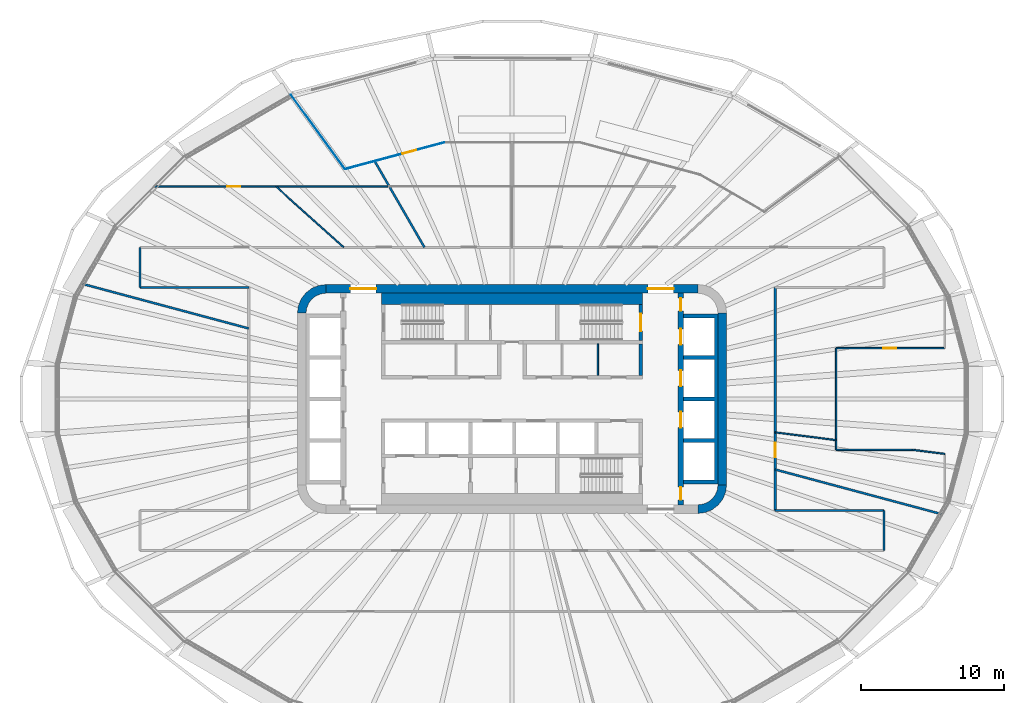
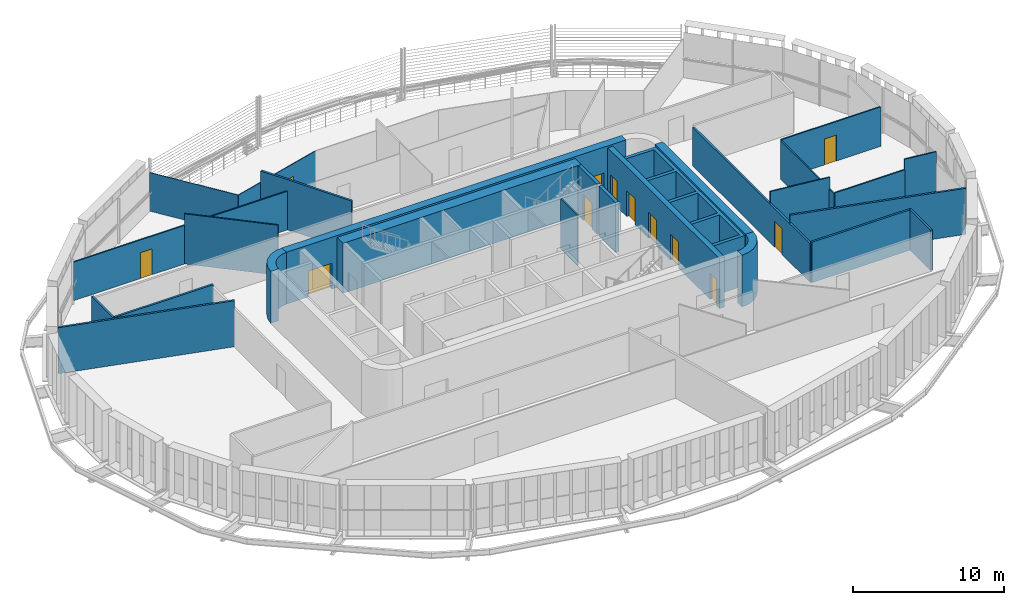
# One storey, part 15 of 24: 27 walls, 12 doors, 12 openings.
"""IFC4 building model written with IfcOpenShell, lengths in metres."""

import ifcopenshell
import ifcopenshell.guid

model = None  # the IFC model being written
_history = None  # IfcOwnerHistory: only IFC2X3 demands one
_inside = {}  # id of a spatial element -> (the spatial element, [elements in it])
_under = {}  # id of a project, library or spatial element -> (it, [spatial elements below it])
_declared = {}  # id of a project -> (the project, [libraries it declares])
_typed = {}  # id of a type object -> (the type object, [elements of that type])
_made_of = {}  # id of a material, layer set ... -> (it, [elements and type objects made of it])


def new_model(schema):
    """Start an empty IFC model of exactly this schema.

    Asked for "IFC4X3", IfcOpenShell would pick the latest addendum, in which some entities
    have other attributes; the version numbers below select the first issue.
    IFC2X3 requires an IfcOwnerHistory on every rooted entity: one is made here for all.
    """
    global model, _history
    if schema == "IFC4X3":
        model = ifcopenshell.file(schema_version=(4, 3, 0, 0))
    else:
        model = ifcopenshell.file(schema=schema)
    _inside.clear()
    _under.clear()
    _declared.clear()
    _typed.clear()
    _made_of.clear()
    _history = None
    if model.schema == "IFC2X3":
        org = make("IfcOrganization", Name="unknown")
        user = make(
            "IfcPersonAndOrganization",
            ThePerson=make("IfcPerson", FamilyName="unknown"),
            TheOrganization=org,
        )
        app = make(
            "IfcApplication",
            ApplicationDeveloper=org,
            Version="unknown",
            ApplicationFullName="unknown",
            ApplicationIdentifier="unknown",
        )
        _history = make(
            "IfcOwnerHistory",
            OwningUser=user,
            OwningApplication=app,
            ChangeAction="ADDED",
            CreationDate=0,
        )
    return model


def make(cls, **values):
    """One entity of the class cls with the attributes given. An attribute that is None is left unset."""
    return model.create_entity(
        cls, **{name: value for name, value in values.items() if value is not None}
    )


def rooted(cls, **values):
    """An entity with a GlobalId (a new one), such as an element, a storey or a relation."""
    return make(cls, GlobalId=ifcopenshell.guid.new(), OwnerHistory=_history, **values)


def si_unit(unit_type, name, prefix=None):
    """IfcSIUnit, for example si_unit("LENGTHUNIT", "METRE", prefix="MILLI")."""
    return make("IfcSIUnit", UnitType=unit_type, Prefix=prefix, Name=name)


def assignment(units):
    """IfcUnitAssignment: the units of a project."""
    return None if units is None else make("IfcUnitAssignment", Units=units)


def point(xyz):
    """IfcCartesianPoint."""
    return None if xyz is None else make("IfcCartesianPoint", Coordinates=xyz)


def direction(xyz):
    """IfcDirection."""
    return None if xyz is None else make("IfcDirection", DirectionRatios=xyz)


def frame(location, z_axis=None, x_axis=None):
    """IfcAxis2Placement3D, a coordinate frame: its origin and axes. An axis left out is left unset."""
    return make(
        "IfcAxis2Placement3D",
        Location=point(location),
        Axis=direction(z_axis),
        RefDirection=direction(x_axis),
    )


def frame_2d(location, x_axis=None):
    """IfcAxis2Placement2D, a coordinate frame in the plane: its origin and x axis."""
    return make(
        "IfcAxis2Placement2D", Location=point(location), RefDirection=direction(x_axis)
    )


def origin():
    """The frame at (0, 0, 0) with its axes left unset."""
    return frame((0.0, 0.0, 0.0))


def place(relative_to, where):
    """IfcLocalPlacement: puts the frame where relative to a parent placement (None: the world)."""
    return make(
        "IfcLocalPlacement", PlacementRelTo=relative_to, RelativePlacement=where
    )


def context(
    kind, dimensions, precision=None, world=None, true_north=None, identifier=None
):
    """IfcGeometricRepresentationContext, for example the 3D "Model" context."""
    return make(
        "IfcGeometricRepresentationContext",
        ContextIdentifier=identifier,
        ContextType=kind,
        CoordinateSpaceDimension=dimensions,
        Precision=precision,
        WorldCoordinateSystem=world,
        TrueNorth=true_north,
    )


def subcontext(parent, identifier, kind, view, scale=None):
    """IfcGeometricRepresentationSubContext, for example "Body" below "Model"."""
    return make(
        "IfcGeometricRepresentationSubContext",
        ContextIdentifier=identifier,
        ContextType=kind,
        ParentContext=parent,
        TargetScale=scale,
        TargetView=view,
    )


def project(units=None, contexts=None):
    """IfcProject with its units and contexts."""
    return rooted(
        "IfcProject",
        Name="project",
        RepresentationContexts=contexts,
        UnitsInContext=assignment(units),
    )


def spatial(cls, under=None, at=None, **own):
    """A site, building, storey or space (cls), placed at a placement, below another one or the project."""
    s = rooted(cls, ObjectPlacement=at, **own)
    if under is not None:
        _under.setdefault(under.id(), (under, []))[1].append(s)
    return s


def polyline(points):
    """IfcPolyline through the points."""
    return make("IfcPolyline", Points=[point(p) for p in points])


def profile(cls, at=None, kind="AREA", **sizes):
    """A parametric profile (cls). Its sizes go by their IFC names, for example OverallWidth=200.0."""
    return make(cls, ProfileType=kind, Position=at, **sizes)


def rectangle(**sizes):
    """IfcRectangleProfileDef."""
    return profile("IfcRectangleProfileDef", **sizes)


def outline(outer, holes=None, kind="AREA"):
    """IfcArbitraryClosedProfileDef: a profile drawn as a closed curve; with holes, ...WithVoids."""
    if holes is None:
        return make("IfcArbitraryClosedProfileDef", ProfileType=kind, OuterCurve=outer)
    return make(
        "IfcArbitraryProfileDefWithVoids",
        ProfileType=kind,
        OuterCurve=outer,
        InnerCurves=holes,
    )


def extrude(swept, where, along, depth):
    """IfcExtrudedAreaSolid: the profile swept, set in the frame where, extruded along a direction by depth."""
    return make(
        "IfcExtrudedAreaSolid",
        SweptArea=swept,
        Position=where,
        ExtrudedDirection=direction(along),
        Depth=depth,
    )


def shape(context_of_items, identifier, shape_type, items):
    """IfcShapeRepresentation: the items that make up one representation, for example the "Body"."""
    return make(
        "IfcShapeRepresentation",
        ContextOfItems=context_of_items,
        RepresentationIdentifier=identifier,
        RepresentationType=shape_type,
        Items=items,
    )


def material(Name=None, Category=None):
    """IfcMaterial."""
    return make("IfcMaterial", Name=Name, Category=Category)


def layer(
    of_material, thickness, ventilated=None, Name=None, Category=None, Priority=None
):
    """IfcMaterialLayer: one layer of a wall or slab, of a material (None: an air gap)."""
    return make(
        "IfcMaterialLayer",
        Material=of_material,
        LayerThickness=thickness,
        IsVentilated=ventilated,
        Name=Name,
        Category=Category,
        Priority=Priority,
    )


def layer_set(layers, Name=None):
    """IfcMaterialLayerSet."""
    return make("IfcMaterialLayerSet", MaterialLayers=layers, LayerSetName=Name)


def made_of(thing, what):
    """Note that an element or type object is made of a material, layer set ...; save() writes the relation."""
    if what is not None:
        _made_of.setdefault(what.id(), (what, []))[1].append(thing)
    return thing


def type_object(cls, material=None, **own):
    """A type object (cls), such as IfcWallType, which elements share."""
    return made_of(rooted(cls, **own), material)


def element(
    cls,
    number,
    at=None,
    inside=None,
    cuts=None,
    type_object=None,
    material=None,
    context=None,
    identifier="Body",
    shape_type=None,
    held_by="IfcProductDefinitionShape",
    body=None,
    shapes=None,
    **own,
):
    """One element of the class cls, such as IfcWall. Its Tag is "e" and its number.

    at: its placement. inside: the storey or other place that contains it. cuts: it is an
    opening in that element (IfcRelVoidsElement). A single representation is given by context,
    identifier, shape_type and body (its items); several are given by shapes. held_by: the class
    of the entity that holds the representations. save() writes the other relations.
    """
    e = rooted(cls, Tag="e%d" % number, ObjectPlacement=at, **own)
    if body is not None:
        shapes = [shape(context, identifier, shape_type, body)]
    if shapes is not None:
        e.Representation = make(held_by, Representations=shapes)
    if inside is not None:
        _inside.setdefault(inside.id(), (inside, []))[1].append(e)
    if cuts is not None:
        rooted(
            "IfcRelVoidsElement", RelatingBuildingElement=cuts, RelatedOpeningElement=e
        )
    if type_object is not None:
        _typed.setdefault(type_object.id(), (type_object, []))[1].append(e)
    return made_of(e, material)


def fill(opening, filler):
    """IfcRelFillsElement: the door or window that sits in an opening."""
    return rooted(
        "IfcRelFillsElement",
        RelatingOpeningElement=opening,
        RelatedBuildingElement=filler,
    )


def aggregate(whole, parts):
    """IfcRelAggregates: a whole, such as a stair, and the parts it consists of."""
    return rooted("IfcRelAggregates", RelatingObject=whole, RelatedObjects=parts)


def save(model, path):
    """Write the relations noted so far, then the file.

    IfcRelAggregates (storeys below a building ...), IfcRelContainedInSpatialStructure (elements
    in a storey), IfcRelDefinesByType, IfcRelAssociatesMaterial and IfcRelDeclares: one each for
    every whole, place, type object, material and project.
    """
    for whole, parts in _under.values():
        aggregate(whole, parts)
    for where, things in _inside.values():
        rooted(
            "IfcRelContainedInSpatialStructure",
            RelatedElements=things,
            RelatingStructure=where,
        )
    for kind, things in _typed.values():
        rooted("IfcRelDefinesByType", RelatedObjects=things, RelatingType=kind)
    for what, things in _made_of.values():
        rooted("IfcRelAssociatesMaterial", RelatedObjects=things, RelatingMaterial=what)
    for by, libraries in _declared.values():
        rooted("IfcRelDeclares", RelatingContext=by, RelatedDefinitions=libraries)
    model.write(path)


model = new_model("IFC4")

# Units and contexts
model_context = context("Model", 3, precision=1e-05, world=origin(), true_north=direction((0.0, 1.0)))
body_context = subcontext(model_context, "Body", "Model", "MODEL_VIEW")
ifc_project = project(units=[si_unit("LENGTHUNIT", "METRE"), si_unit("AREAUNIT", "SQUARE_METRE"), si_unit("VOLUMEUNIT", "CUBIC_METRE"), si_unit("PLANEANGLEUNIT", "RADIAN"), si_unit("MASSUNIT", "GRAM", prefix="KILO")], contexts=[model_context])

# Site, building, storey
site_placement = place(None, origin())
site = spatial("IfcSite", under=ifc_project, at=site_placement, CompositionType="ELEMENT")
building_placement = place(site_placement, origin())
building = spatial("IfcBuilding", under=site, at=building_placement, Name="Sahrelin Media Tower", CompositionType="ELEMENT")
storey_placement = place(building_placement, frame((0.0, 0.0, 118.800048828125)))
storey = spatial("IfcBuildingStorey", under=building, at=storey_placement, Name="L23", CompositionType="ELEMENT", Elevation=118.800048828125)

# Wall, openings, doors
ifc_material_1 = material(Name="Concrete C60/75", Category="concrete")
ifc_layer_1 = layer(ifc_material_1, 0.60009765625)
ifc_layer_set_1 = layer_set([ifc_layer_1], Name="Core wall 600")
wall_type_1 = type_object("IfcWallType", Name="Core wall 600", PredefinedType="SHEAR", material=ifc_layer_set_1)
wall_1_placement = place(storey_placement, frame((-13.0, 7.699951171875, 0.0), z_axis=(0.0, 0.0, 1.0), x_axis=(1.0, 0.0, 0.0)))
wall_1 = element("IfcWall", 1, at=wall_1_placement, inside=storey, type_object=wall_type_1, Name="Core wall N L23", PredefinedType="SHEAR", context=body_context, shape_type="SweptSolid", body=[
    extrude(rectangle(XDim=26.0, YDim=0.60009765625, at=frame_2d((13.0, 0.0))), origin(), (0.0, 0.0, 1.0), 4.199951171875),
])
opening_1_placement = place(wall_1_placement, frame((1.699951171875, 0.0, 0.0)))
opening_1 = element("IfcOpeningElement", 2, at=opening_1_placement, cuts=wall_1, Name="Opening L23-D19", PredefinedType="OPENING", context=body_context, shape_type="SweptSolid", body=[
    extrude(rectangle(XDim=1.800048828125, YDim=2.10009765625, at=frame_2d((0.89990234375, 1.050048828125))), frame((0.0, 0.300048828125, 0.0), z_axis=(0.0, -1.0, 0.0), x_axis=(1.0, 0.0, 0.0)), (0.0, 0.0, 1.0), 0.60009765625),
])
opening_2_placement = place(wall_1_placement, frame((22.5, 0.0, 0.0)))
opening_2 = element("IfcOpeningElement", 3, at=opening_2_placement, cuts=wall_1, Name="Opening L23-D20", PredefinedType="OPENING", context=body_context, shape_type="SweptSolid", body=[
    extrude(rectangle(XDim=1.800048828125, YDim=2.10009765625, at=frame_2d((0.89990234375, 1.050048828125))), frame((0.0, 0.300048828125, 0.0), z_axis=(0.0, -1.0, 0.0), x_axis=(1.0, 0.0, 0.0)), (0.0, 0.0, 1.0), 0.60009765625),
])
ifc_material_2 = material(Name="Steel fire door leaf", Category="steel")
door_type_1 = type_object("IfcDoorType", Name="Lobby double door 1800 x 2100 EI 60", OperationType="DOUBLE_DOOR_SINGLE_SWING", PredefinedType="DOOR", material=ifc_material_2)
door_1_placement = place(opening_1_placement, origin())
door_1 = element("IfcDoor", 4, at=door_1_placement, inside=storey, type_object=door_type_1, Name="Lobby door", OperationType="DOUBLE_DOOR_SINGLE_SWING", OverallHeight=2.10009765625, OverallWidth=1.800048828125, PredefinedType="DOOR", context=body_context, shape_type="SweptSolid", body=[
    extrude(rectangle(XDim=1.800048828125, YDim=2.10009765625, at=frame_2d((0.89990234375, 1.050048828125))), frame((0.0, 0.02490234375, 0.0), z_axis=(0.0, -1.0, 0.0), x_axis=(1.0, 0.0, 0.0)), (0.0, 0.0, 1.0), 0.050048828125),
])
fill(opening_1, door_1)
door_2_placement = place(opening_2_placement, origin())
door_2 = element("IfcDoor", 5, at=door_2_placement, inside=storey, type_object=door_type_1, Name="Lobby door", OperationType="DOUBLE_DOOR_SINGLE_SWING", OverallHeight=2.10009765625, OverallWidth=1.800048828125, PredefinedType="DOOR", context=body_context, shape_type="SweptSolid", body=[
    extrude(rectangle(XDim=1.800048828125, YDim=2.10009765625, at=frame_2d((0.89990234375, 1.050048828125))), frame((0.0, 0.02490234375, 0.0), z_axis=(0.0, -1.0, 0.0), x_axis=(1.0, 0.0, 0.0)), (0.0, 0.0, 1.0), 0.050048828125),
])
fill(opening_2, door_2)

# Walls
wall_2_placement = place(storey_placement, frame((14.699951171875, -6.0, 0.0), z_axis=(0.0, 0.0, 1.0), x_axis=(0.0, 1.0, 0.0)))
element("IfcWall", 6, at=wall_2_placement, inside=storey, type_object=wall_type_1, Name="Core wall E L23", PredefinedType="SHEAR", context=body_context, shape_type="SweptSolid", body=[
    extrude(rectangle(XDim=12.0, YDim=0.60009765625, at=frame_2d((6.0, 0.0))), origin(), (0.0, 0.0, 1.0), 4.199951171875),
])
placement = place(storey_placement, origin())
element("IfcWall", 7, at=placement, inside=storey, type_object=wall_type_1, Name="Core wall corner NW L23", PredefinedType="SHEAR", context=body_context, shape_type="SweptSolid", body=[
    extrude(outline(polyline([(-15.0, 6.0), (-14.394775390625, 6.0), (-14.347412109375, 6.361083984375), (-14.2080078125, 6.697509765625), (-13.986328125, 6.986328125), (-13.697509765625, 7.2080078125), (-13.361083984375, 7.347412109375), (-13.0, 7.394775390625), (-13.0, 8.0), (-13.517578125, 7.931884765625), (-14.0, 7.732177734375), (-14.414306640625, 7.414306640625), (-14.732177734375, 7.0), (-14.931884765625, 6.517578125), (-15.0, 6.0)])), origin(), (0.0, 0.0, 1.0), 4.199951171875),
])
element("IfcWall", 8, at=placement, inside=storey, type_object=wall_type_1, Name="Core wall corner SE L23", PredefinedType="SHEAR", context=body_context, shape_type="SweptSolid", body=[
    extrude(outline(polyline([(15.0, -6.0), (14.394775390625, -6.0), (14.347412109375, -6.361083984375), (14.2080078125, -6.697509765625), (13.986328125, -6.986328125), (13.697509765625, -7.2080078125), (13.361083984375, -7.347412109375), (13.0, -7.394775390625), (13.0, -8.0), (13.517578125, -7.931884765625), (14.0, -7.732177734375), (14.414306640625, -7.414306640625), (14.732177734375, -7.0), (14.931884765625, -6.517578125), (15.0, -6.0)])), origin(), (0.0, 0.0, 1.0), 4.199951171875),
])
ifc_material_3 = material(Name="Fire-rated gypsum board partition")
ifc_layer_2 = layer(ifc_material_3, 0.25)
ifc_layer_set_2 = layer_set([ifc_layer_2], Name="Fire-rated lobby wall 250")
wall_type_2 = type_object("IfcWallType", Name="Fire-rated lobby wall 250", PredefinedType="PARTITIONING", material=ifc_layer_set_2)
wall_5_placement = place(storey_placement, frame((9.0, 1.64990234375, 0.0), z_axis=(0.0, 0.0, 1.0), x_axis=(0.0, 1.0, 0.0)))
element("IfcWall", 9, at=wall_5_placement, inside=storey, type_object=wall_type_2, Name="Core lobby wall", PredefinedType="PARTITIONING", context=body_context, shape_type="SweptSolid", body=[
    extrude(rectangle(XDim=2.2001953125, YDim=0.25, at=frame_2d((1.10009765625, 0.0))), origin(), (0.0, 0.0, 1.0), 4.050048828125),
])
ifc_layer_3 = layer(ifc_material_3, 0.10009765625)
ifc_layer_set_3 = layer_set([ifc_layer_3], Name="Fire-rated partition 100")
wall_type_3 = type_object("IfcWallType", Name="Fire-rated partition 100", PredefinedType="PARTITIONING", material=ifc_layer_set_3)
wall_6_placement = place(storey_placement, frame((6.0, 1.64990234375, 0.0), z_axis=(0.0, 0.0, 1.0), x_axis=(0.0, 1.0, 0.0)))
element("IfcWall", 10, at=wall_6_placement, inside=storey, type_object=wall_type_3, Name="Core room partition", PredefinedType="PARTITIONING", context=body_context, shape_type="SweptSolid", body=[
    extrude(rectangle(XDim=2.2001953125, YDim=0.10009765625, at=frame_2d((1.10009765625, 0.0))), origin(), (0.0, 0.0, 1.0), 4.050048828125),
])
ifc_layer_4 = layer(ifc_material_3, 0.14990234375)
ifc_layer_set_4 = layer_set([ifc_layer_4], Name="Fire-rated partition 150")
wall_type_4 = type_object("IfcWallType", Name="Fire-rated partition 150", PredefinedType="PARTITIONING", material=ifc_layer_set_4)
wall_7_placement = place(storey_placement, frame((-9.597900390625, 16.625, 0.0), z_axis=(0.0, 0.0, 1.0), x_axis=(0.499977629202, -0.866038319186, 0.0)))
element("IfcWall", 11, at=wall_7_placement, inside=storey, type_object=wall_type_4, Name="Wall", PredefinedType="PARTITIONING", context=body_context, shape_type="SweptSolid", body=[
    extrude(rectangle(XDim=6.956787109375, YDim=0.14990234375, at=frame_2d((3.478515625, 0.0))), origin(), (0.0, 0.0, 1.0), 4.050048828125),
])
for number, where, z_axis, x_axis, name in (
    (12, (-30.091064453125, 8.06298828125, 0.0), (0.0, 0.0, 1.0), (0.965917167339, -0.258851358583, 0.0), "Wall"),
    (13, (18.39990234375, -4.929931640625, 0.0), (0.0, 0.0, 1.0), (0.965917167339, -0.258851358583, 0.0), "Wall"),
):
    element("IfcWall", number, at=place(storey_placement, frame(where, z_axis=z_axis, x_axis=x_axis)), inside=storey, type_object=wall_type_4, Name=name, PredefinedType="PARTITIONING", context=body_context, shape_type="SweptSolid", body=[
        extrude(rectangle(XDim=12.103759765625, YDim=0.14990234375, at=frame_2d((6.0517578125, 0.0))), origin(), (0.0, 0.0, 1.0), 3.7265625),
    ])
for number, where, z_axis, x_axis, name in (
    (14, (18.39990234375, -7.800048828125, 0.0), (0.0, 0.0, 1.0), (1.0, 0.0, 0.0), "Wall"),
    (15, (-26.0, 7.800048828125, 0.0), (0.0, 0.0, 1.0), (1.0, 0.0, 0.0), "Wall"),
):
    element("IfcWall", number, at=place(storey_placement, frame(where, z_axis=z_axis, x_axis=x_axis)), inside=storey, type_object=wall_type_4, Name=name, PredefinedType="PARTITIONING", context=body_context, shape_type="SweptSolid", body=[
        extrude(rectangle(XDim=7.60009765625, YDim=0.14990234375, at=frame_2d((3.800048828125, 0.0))), origin(), (0.0, 0.0, 1.0), 3.27587890625),
    ])
wall_8_placement = place(storey_placement, frame((26.0, -10.60009765625, 0.0), z_axis=(0.0, 0.0, 1.0), x_axis=(0.0, 1.0, 0.0)))
element("IfcWall", 16, at=wall_8_placement, inside=storey, type_object=wall_type_4, Name="Wall", PredefinedType="PARTITIONING", context=body_context, shape_type="SweptSolid", body=[
    extrude(rectangle(XDim=2.800048828125, YDim=0.14990234375, at=frame_2d((1.39990234375, 0.0))), origin(), (0.0, 0.0, 1.0), 3.27587890625),
])

# Wall, opening, door
wall_9_placement = place(storey_placement, frame((18.39990234375, -7.800048828125, 0.0), z_axis=(0.0, 0.0, 1.0), x_axis=(0.0, 1.0, 0.0)))
wall_9 = element("IfcWall", 17, at=wall_9_placement, inside=storey, type_object=wall_type_4, Name="Wall", PredefinedType="PARTITIONING", context=body_context, shape_type="SweptSolid", body=[
    extrude(rectangle(XDim=15.60009765625, YDim=0.14990234375, at=frame_2d((7.800048828125, 0.0))), origin(), (0.0, 0.0, 1.0), 3.1181640625),
])
opening_3_placement = place(wall_9_placement, frame((3.73388671875, 0.0, 0.0)))
opening_3 = element("IfcOpeningElement", 18, at=opening_3_placement, cuts=wall_9, Name="Opening L23-D29", PredefinedType="OPENING", context=body_context, shape_type="SweptSolid", body=[
    extrude(rectangle(XDim=1.0, YDim=2.10009765625, at=frame_2d((0.5, 1.050048828125))), frame((0.0, 0.074951171875, 0.0), z_axis=(0.0, -1.0, 0.0), x_axis=(1.0, 0.0, 0.0)), (0.0, 0.0, 1.0), 0.14990234375),
])
door_type_2 = type_object("IfcDoorType", Name="Fire door 1000 x 2100 EI 60", OperationType="NOTDEFINED", PredefinedType="DOOR", material=ifc_material_2)
door_3_placement = place(opening_3_placement, origin())
door_3 = element("IfcDoor", 19, at=door_3_placement, inside=storey, type_object=door_type_2, Name="Fire door", OperationType="SINGLE_SWING_LEFT", OverallHeight=2.10009765625, OverallWidth=1.0, PredefinedType="DOOR", context=body_context, shape_type="SweptSolid", body=[
    extrude(rectangle(XDim=1.0, YDim=2.10009765625, at=frame_2d((0.5, 1.050048828125))), frame((0.0, 0.02490234375, 0.0), z_axis=(0.0, -1.0, 0.0), x_axis=(1.0, 0.0, 0.0)), (0.0, 0.0, 1.0), 0.050048828125),
])
fill(opening_3, door_3)

# Walls
wall_10_placement = place(storey_placement, frame((-26.0, 7.800048828125, 0.0), z_axis=(0.0, 0.0, 1.0), x_axis=(0.0, 1.0, 0.0)))
element("IfcWall", 20, at=wall_10_placement, inside=storey, type_object=wall_type_4, Name="Wall", PredefinedType="PARTITIONING", context=body_context, shape_type="SweptSolid", body=[
    extrude(rectangle(XDim=2.800048828125, YDim=0.14990234375, at=frame_2d((1.39990234375, 0.0))), origin(), (0.0, 0.0, 1.0), 3.27587890625),
])
ifc_material_4 = material(Name="Clear glass", Category="glass")
ifc_layer_5 = layer(ifc_material_4, 0.050048828125)
ifc_layer_set_5 = layer_set([ifc_layer_5], Name="Glazed partition 50")
wall_type_5 = type_object("IfcWallType", Name="Glazed partition 50", PredefinedType="PARTITIONING", material=ifc_layer_set_5)
wall_11_placement = place(storey_placement, frame((-15.4541015625, 21.26708984375, 0.0), z_axis=(0.0, 0.0, 1.0), x_axis=(0.587866723906, -0.808957795514, 0.0)))
element("IfcWall", 21, at=wall_11_placement, inside=storey, type_object=wall_type_5, Name="Wall", PredefinedType="PARTITIONING", context=body_context, shape_type="SweptSolid", body=[
    extrude(rectangle(XDim=6.4267578125, YDim=0.050048828125, at=frame_2d((3.21337890625, 0.0))), origin(), (0.0, 0.0, 1.0), 3.126953125),
])

# Wall, opening, door
wall_12_placement = place(storey_placement, frame((-11.676025390625, 16.068115234375, 0.0), z_axis=(0.0, 0.0, 1.0), x_axis=(0.96592941201, 0.258805662639, 0.0)))
wall_12 = element("IfcWall", 22, at=wall_12_placement, inside=storey, type_object=wall_type_5, Name="Wall", PredefinedType="PARTITIONING", context=body_context, shape_type="SweptSolid", body=[
    extrude(rectangle(XDim=7.191162109375, YDim=0.050048828125, at=frame_2d((3.595703125, 0.0))), origin(), (0.0, 0.0, 1.0), 3.126953125),
])
opening_4_placement = place(wall_12_placement, frame((4.169677734375, 0.0, 0.0)))
opening_4 = element("IfcOpeningElement", 23, at=opening_4_placement, cuts=wall_12, Name="Opening L23-D42", PredefinedType="OPENING", context=body_context, shape_type="SweptSolid", body=[
    extrude(rectangle(XDim=1.0, YDim=2.10009765625, at=frame_2d((0.5, 1.050048828125))), frame((0.0, 0.02490234375, 0.0), z_axis=(0.0, -1.0, 0.0), x_axis=(1.0, 0.0, 0.0)), (0.0, 0.0, 1.0), 0.050048828125),
])
door_type_3 = type_object("IfcDoorType", Name="Glazed door 1000 x 2100", OperationType="NOTDEFINED", PredefinedType="DOOR", material=ifc_material_4)
door_4_placement = place(opening_4_placement, origin())
door_4 = element("IfcDoor", 24, at=door_4_placement, inside=storey, type_object=door_type_3, Name="Glazed door", OperationType="SINGLE_SWING_RIGHT", OverallHeight=2.10009765625, OverallWidth=1.0, PredefinedType="DOOR", context=body_context, shape_type="SweptSolid", body=[
    extrude(rectangle(XDim=1.0, YDim=2.10009765625, at=frame_2d((0.5, 1.050048828125))), frame((0.0, 0.02490234375, 0.0), z_axis=(0.0, -1.0, 0.0), x_axis=(1.0, 0.0, 0.0)), (0.0, 0.0, 1.0), 0.049560546875),
])
fill(opening_4, door_4)

# Wall
ifc_layer_6 = layer(ifc_material_1, 0.25)
ifc_layer_set_6 = layer_set([ifc_layer_6], Name="Lift shaft wall 250")
wall_type_6 = type_object("IfcWallType", Name="Lift shaft wall 250", PredefinedType="SOLIDWALL", material=ifc_layer_set_6)
element("IfcWall", 25, at=placement, inside=storey, type_object=wall_type_6, Name="Lift shaft wall", PredefinedType="SOLIDWALL", context=body_context, shape_type="SweptSolid", body=[
    extrude(outline(polyline([(12.0, -5.675048828125), (12.0, -5.925048828125), (14.14990234375, -5.925048828125), (14.39990234375, -5.925048828125), (14.39990234375, -5.675048828125), (14.39990234375, -3.02490234375), (14.39990234375, -2.77490234375), (14.39990234375, -0.125), (14.39990234375, 0.125), (14.39990234375, 2.77490234375), (14.39990234375, 3.02490234375), (14.39990234375, 5.675048828125), (14.39990234375, 5.925048828125), (14.14990234375, 5.925048828125), (12.0, 5.925048828125), (12.0, 5.675048828125), (14.14990234375, 5.675048828125), (14.14990234375, 3.02490234375), (12.0, 3.02490234375), (12.0, 2.77490234375), (14.14990234375, 2.77490234375), (14.14990234375, 0.125), (12.0, 0.125), (12.0, -0.125), (14.14990234375, -0.125), (14.14990234375, -2.77490234375), (12.0, -2.77490234375), (12.0, -3.02490234375), (14.14990234375, -3.02490234375), (14.14990234375, -5.675048828125), (12.0, -5.675048828125)])), origin(), (0.0, 0.0, 1.0), 4.050048828125),
])

# Wall, openings, doors
ifc_layer_7 = layer(ifc_material_1, 0.39990234375)
ifc_layer_set_7 = layer_set([ifc_layer_7], Name="Lift shaft wall 400")
wall_type_7 = type_object("IfcWallType", Name="Lift shaft wall 400", PredefinedType="SOLIDWALL", material=ifc_layer_set_7)
wall_14_placement = place(storey_placement, frame((11.800048828125, -7.39990234375, 0.0), z_axis=(0.0, 0.0, 1.0), x_axis=(0.0, 1.0, 0.0)))
wall_14 = element("IfcWall", 26, at=wall_14_placement, inside=storey, type_object=wall_type_7, Name="Lift shaft wall", PredefinedType="SOLIDWALL", context=body_context, shape_type="SweptSolid", body=[
    extrude(rectangle(XDim=14.7998046875, YDim=0.39990234375, at=frame_2d((7.39990234375, 0.0))), origin(), (0.0, 0.0, 1.0), 4.050048828125),
])
opening_5_placement = place(wall_14_placement, frame((11.199951171875, 0.0, 0.0)))
opening_5 = element("IfcOpeningElement", 27, at=opening_5_placement, cuts=wall_14, Name="Opening L23-LD-LR4", PredefinedType="OPENING", context=body_context, shape_type="SweptSolid", body=[
    extrude(rectangle(XDim=1.10009765625, YDim=2.10009765625, at=frame_2d((0.550048828125, 1.050048828125))), frame((0.0, 0.199951171875, 0.0), z_axis=(0.0, -1.0, 0.0), x_axis=(1.0, 0.0, 0.0)), (0.0, 0.0, 1.0), 0.39990234375),
])
opening_6_placement = place(wall_14_placement, frame((8.300048828125, 0.0, 0.0)))
opening_6 = element("IfcOpeningElement", 28, at=opening_6_placement, cuts=wall_14, Name="Opening L23-LD-LR5", PredefinedType="OPENING", context=body_context, shape_type="SweptSolid", body=[
    extrude(rectangle(XDim=1.10009765625, YDim=2.10009765625, at=frame_2d((0.550048828125, 1.050048828125))), frame((0.0, 0.199951171875, 0.0), z_axis=(0.0, -1.0, 0.0), x_axis=(1.0, 0.0, 0.0)), (0.0, 0.0, 1.0), 0.39990234375),
])
opening_7_placement = place(wall_14_placement, frame((5.39990234375, 0.0, 0.0)))
opening_7 = element("IfcOpeningElement", 29, at=opening_7_placement, cuts=wall_14, Name="Opening L23-LD-LR6", PredefinedType="OPENING", context=body_context, shape_type="SweptSolid", body=[
    extrude(rectangle(XDim=1.10009765625, YDim=2.10009765625, at=frame_2d((0.550048828125, 1.050048828125))), frame((0.0, 0.199951171875, 0.0), z_axis=(0.0, -1.0, 0.0), x_axis=(1.0, 0.0, 0.0)), (0.0, 0.0, 1.0), 0.39990234375),
])
opening_8_placement = place(wall_14_placement, frame((13.552490234375, 0.0, 0.0)))
opening_8 = element("IfcOpeningElement", 30, at=opening_8_placement, cuts=wall_14, Name="Opening L23-D17", PredefinedType="OPENING", context=body_context, shape_type="SweptSolid", body=[
    extrude(rectangle(XDim=0.89990234375, YDim=2.10009765625, at=frame_2d((0.449951171875, 1.050048828125))), frame((0.0, 0.199951171875, 0.0), z_axis=(0.0, -1.0, 0.0), x_axis=(1.0, 0.0, 0.0)), (0.0, 0.0, 1.0), 0.39990234375),
])
opening_9_placement = place(wall_14_placement, frame((0.347412109375, 0.0, 0.0)))
opening_9 = element("IfcOpeningElement", 31, at=opening_9_placement, cuts=wall_14, Name="Opening L23-D18", PredefinedType="OPENING", context=body_context, shape_type="SweptSolid", body=[
    extrude(rectangle(XDim=0.89990234375, YDim=2.10009765625, at=frame_2d((0.449951171875, 1.050048828125))), frame((0.0, 0.199951171875, 0.0), z_axis=(0.0, -1.0, 0.0), x_axis=(1.0, 0.0, 0.0)), (0.0, 0.0, 1.0), 0.39990234375),
])
ifc_material_5 = material(Name="Stainless steel", Category="steel")
door_type_4 = type_object("IfcDoorType", Name="Lift landing door 1100 x 2100 EI 120", OperationType="DOUBLE_DOOR_SLIDING", PredefinedType="DOOR", material=ifc_material_5)
door_5_placement = place(opening_5_placement, origin())
door_5 = element("IfcDoor", 32, at=door_5_placement, inside=storey, type_object=door_type_4, Name="Lift landing door LR4", OperationType="DOUBLE_DOOR_SLIDING", OverallHeight=2.10009765625, OverallWidth=1.10009765625, PredefinedType="DOOR", context=body_context, shape_type="SweptSolid", body=[
    extrude(rectangle(XDim=1.10009765625, YDim=2.10009765625, at=frame_2d((0.550048828125, 1.050048828125))), frame((0.0, 0.02490234375, 0.0), z_axis=(0.0, -1.0, 0.0), x_axis=(1.0, 0.0, 0.0)), (0.0, 0.0, 1.0), 0.050048828125),
])
fill(opening_5, door_5)
door_6_placement = place(opening_6_placement, origin())
door_6 = element("IfcDoor", 33, at=door_6_placement, inside=storey, type_object=door_type_4, Name="Lift landing door LR5", OperationType="DOUBLE_DOOR_SLIDING", OverallHeight=2.10009765625, OverallWidth=1.10009765625, PredefinedType="DOOR", context=body_context, shape_type="SweptSolid", body=[
    extrude(rectangle(XDim=1.10009765625, YDim=2.10009765625, at=frame_2d((0.550048828125, 1.050048828125))), frame((0.0, 0.02490234375, 0.0), z_axis=(0.0, -1.0, 0.0), x_axis=(1.0, 0.0, 0.0)), (0.0, 0.0, 1.0), 0.050048828125),
])
fill(opening_6, door_6)
door_7_placement = place(opening_7_placement, origin())
door_7 = element("IfcDoor", 34, at=door_7_placement, inside=storey, type_object=door_type_4, Name="Lift landing door LR6", OperationType="DOUBLE_DOOR_SLIDING", OverallHeight=2.10009765625, OverallWidth=1.10009765625, PredefinedType="DOOR", context=body_context, shape_type="SweptSolid", body=[
    extrude(rectangle(XDim=1.10009765625, YDim=2.10009765625, at=frame_2d((0.550048828125, 1.050048828125))), frame((0.0, 0.02490234375, 0.0), z_axis=(0.0, -1.0, 0.0), x_axis=(1.0, 0.0, 0.0)), (0.0, 0.0, 1.0), 0.050048828125),
])
fill(opening_7, door_7)
door_type_5 = type_object("IfcDoorType", Name="Riser door 900 x 2100 EI 120", OperationType="NOTDEFINED", PredefinedType="DOOR", material=ifc_material_2)
door_8_placement = place(opening_8_placement, origin())
door_8 = element("IfcDoor", 35, at=door_8_placement, inside=storey, type_object=door_type_5, Name="Riser door", OperationType="SINGLE_SWING_RIGHT", OverallHeight=2.10009765625, OverallWidth=0.89990234375, PredefinedType="DOOR", context=body_context, shape_type="SweptSolid", body=[
    extrude(rectangle(XDim=0.89990234375, YDim=2.10009765625, at=frame_2d((0.449951171875, 1.050048828125))), frame((0.0, 0.02490234375, 0.0), z_axis=(0.0, -1.0, 0.0), x_axis=(1.0, 0.0, 0.0)), (0.0, 0.0, 1.0), 0.050048828125),
])
fill(opening_8, door_8)
door_9_placement = place(opening_9_placement, origin())
door_9 = element("IfcDoor", 36, at=door_9_placement, inside=storey, type_object=door_type_5, Name="Riser door", OperationType="SINGLE_SWING_RIGHT", OverallHeight=2.10009765625, OverallWidth=0.89990234375, PredefinedType="DOOR", context=body_context, shape_type="SweptSolid", body=[
    extrude(rectangle(XDim=0.89990234375, YDim=2.10009765625, at=frame_2d((0.449951171875, 1.050048828125))), frame((0.0, 0.02490234375, 0.0), z_axis=(0.0, -1.0, 0.0), x_axis=(1.0, 0.0, 0.0)), (0.0, 0.0, 1.0), 0.050048828125),
])
fill(opening_9, door_9)

# Walls
ifc_material_6 = material(Name="Gypsum board partition")
ifc_layer_8 = layer(ifc_material_6, 0.10009765625)
ifc_layer_set_8 = layer_set([ifc_layer_8], Name="Partition 100")
wall_type_8 = type_object("IfcWallType", Name="Partition 100", PredefinedType="PARTITIONING", material=ifc_layer_set_8)
wall_15_placement = place(storey_placement, frame((-16.491943359375, 14.85009765625, 0.0), z_axis=(0.0, 0.0, 1.0), x_axis=(0.74313548605, -0.669140978698, 0.0)))
element("IfcWall", 37, at=wall_15_placement, inside=storey, type_object=wall_type_8, Name="Wall", PredefinedType="PARTITIONING", context=body_context, shape_type="SweptSolid", body=[
    extrude(rectangle(XDim=6.351318359375, YDim=0.10009765625, at=frame_2d((3.17578125, 0.0))), origin(), (0.0, 0.0, 1.0), 4.050048828125),
])
wall_16_placement = place(storey_placement, frame((18.39990234375, -2.333984375, 0.0), z_axis=(0.0, 0.0, 1.0), x_axis=(0.992044690644, -0.125886185756, 0.0)))
element("IfcWall", 38, at=wall_16_placement, inside=storey, type_object=wall_type_8, Name="Wall", PredefinedType="PARTITIONING", context=body_context, shape_type="SweptSolid", body=[
    extrude(rectangle(XDim=4.2841796875, YDim=0.10009765625, at=frame_2d((2.14208984375, 0.0))), origin(), (0.0, 0.0, 1.0), 4.050048828125),
])
wall_17_placement = place(storey_placement, frame((27.989990234375, -3.550048828125, 0.0), z_axis=(0.0, 0.0, 1.0), x_axis=(0.992040317819, -0.125920640968, 0.0)))
element("IfcWall", 39, at=wall_17_placement, inside=storey, type_object=wall_type_8, Name="Wall", PredefinedType="PARTITIONING", context=body_context, shape_type="SweptSolid", body=[
    extrude(rectangle(XDim=2.278076171875, YDim=0.10009765625, at=frame_2d((1.13916015625, 0.0))), origin(), (0.0, 0.0, 1.0), 4.050048828125),
])
wall_18_placement = place(storey_placement, frame((22.64990234375, -3.550048828125, 0.0), z_axis=(0.0, 0.0, 1.0), x_axis=(1.0, 0.0, 0.0)))
element("IfcWall", 40, at=wall_18_placement, inside=storey, type_object=wall_type_8, Name="Wall", PredefinedType="PARTITIONING", context=body_context, shape_type="SweptSolid", body=[
    extrude(rectangle(XDim=5.340087890625, YDim=0.10009765625, at=frame_2d((2.669921875, 0.0))), origin(), (0.0, 0.0, 1.0), 3.195068359375),
])

# Wall, opening, door
wall_19_placement = place(storey_placement, frame((22.64990234375, 3.550048828125, 0.0), z_axis=(0.0, 0.0, 1.0), x_axis=(1.0, 0.0, 0.0)))
wall_19 = element("IfcWall", 41, at=wall_19_placement, inside=storey, type_object=wall_type_8, Name="Wall", PredefinedType="PARTITIONING", context=body_context, shape_type="SweptSolid", body=[
    extrude(rectangle(XDim=7.60009765625, YDim=0.10009765625, at=frame_2d((3.800048828125, 0.0))), origin(), (0.0, 0.0, 1.0), 3.195068359375),
])
opening_10_placement = place(wall_19_placement, frame((3.300048828125, 0.0, 0.0)))
opening_10 = element("IfcOpeningElement", 42, at=opening_10_placement, cuts=wall_19, Name="Opening L23-D33", PredefinedType="OPENING", context=body_context, shape_type="SweptSolid", body=[
    extrude(rectangle(XDim=0.89990234375, YDim=2.10009765625, at=frame_2d((0.449951171875, 1.050048828125))), frame((0.0, 0.050048828125, 0.0), z_axis=(0.0, -1.0, 0.0), x_axis=(1.0, 0.0, 0.0)), (0.0, 0.0, 1.0), 0.10009765625),
])
ifc_material_7 = material(Name="Timber door leaf", Category="wood")
door_type_6 = type_object("IfcDoorType", Name="Single door 900 x 2100", OperationType="NOTDEFINED", PredefinedType="DOOR", material=ifc_material_7)
door_10_placement = place(opening_10_placement, origin())
door_10 = element("IfcDoor", 43, at=door_10_placement, inside=storey, type_object=door_type_6, Name="Single door", OperationType="SINGLE_SWING_RIGHT", OverallHeight=2.10009765625, OverallWidth=0.89990234375, PredefinedType="DOOR", context=body_context, shape_type="SweptSolid", body=[
    extrude(rectangle(XDim=0.89990234375, YDim=2.10009765625, at=frame_2d((0.449951171875, 1.050048828125))), frame((0.0, 0.02490234375, 0.0), z_axis=(0.0, -1.0, 0.0), x_axis=(1.0, 0.0, 0.0)), (0.0, 0.0, 1.0), 0.050048828125),
])
fill(opening_10, door_10)

wall_20_placement = place(storey_placement, frame((-25.012939453125, 14.85009765625, 0.0), z_axis=(0.0, 0.0, 1.0), x_axis=(1.0, 0.0, 0.0)))
wall_20 = element("IfcWall", 44, at=wall_20_placement, inside=storey, type_object=wall_type_8, Name="Wall", PredefinedType="PARTITIONING", context=body_context, shape_type="SweptSolid", body=[
    extrude(rectangle(XDim=16.43994140625, YDim=0.10009765625, at=frame_2d((8.219970703125, 0.0))), origin(), (0.0, 0.0, 1.0), 3.126953125),
])
opening_11_placement = place(wall_20_placement, frame((5.11474609375, 0.0, 0.0)))
opening_11 = element("IfcOpeningElement", 45, at=opening_11_placement, cuts=wall_20, Name="Opening L23-D40", PredefinedType="OPENING", context=body_context, shape_type="SweptSolid", body=[
    extrude(rectangle(XDim=0.89990234375, YDim=2.10009765625, at=frame_2d((0.449951171875, 1.050048828125))), frame((0.0, 0.050048828125, 0.0), z_axis=(0.0, -1.0, 0.0), x_axis=(1.0, 0.0, 0.0)), (0.0, 0.0, 1.0), 0.10009765625),
])
door_11_placement = place(opening_11_placement, origin())
door_11 = element("IfcDoor", 46, at=door_11_placement, inside=storey, type_object=door_type_6, Name="Single door", OperationType="SINGLE_SWING_RIGHT", OverallHeight=2.10009765625, OverallWidth=0.89990234375, PredefinedType="DOOR", context=body_context, shape_type="SweptSolid", body=[
    extrude(rectangle(XDim=0.89990234375, YDim=2.10009765625, at=frame_2d((0.449951171875, 1.050048828125))), frame((0.0, 0.02490234375, 0.0), z_axis=(0.0, -1.0, 0.0), x_axis=(1.0, 0.0, 0.0)), (0.0, 0.0, 1.0), 0.050048828125),
])
fill(opening_11, door_11)

# Wall
wall_21_placement = place(storey_placement, frame((22.64990234375, -3.550048828125, 0.0), z_axis=(0.0, 0.0, 1.0), x_axis=(0.0, 1.0, 0.0)))
element("IfcWall", 47, at=wall_21_placement, inside=storey, type_object=wall_type_8, Name="Wall", PredefinedType="PARTITIONING", context=body_context, shape_type="SweptSolid", body=[
    extrude(rectangle(XDim=7.10009765625, YDim=0.10009765625, at=frame_2d((3.550048828125, 0.0))), origin(), (0.0, 0.0, 1.0), 3.1181640625),
])

# Wall, opening, door
ifc_layer_9 = layer(ifc_material_1, 0.25)
ifc_layer_set_9 = layer_set([ifc_layer_9], Name="Stair enclosure wall 250")
wall_type_9 = type_object("IfcWallType", Name="Stair enclosure wall 250", PredefinedType="SOLIDWALL", material=ifc_layer_set_9)
wall_22_placement = place(storey_placement, frame((9.0, 4.10009765625, 0.0), z_axis=(0.0, 0.0, 1.0), x_axis=(0.0, 1.0, 0.0)))
wall_22 = element("IfcWall", 48, at=wall_22_placement, inside=storey, type_object=wall_type_9, Name="Stair enclosure wall", PredefinedType="SOLIDWALL", context=body_context, shape_type="SweptSolid", body=[
    extrude(rectangle(XDim=2.5, YDim=0.25, at=frame_2d((1.25, 0.0))), origin(), (0.0, 0.0, 1.0), 4.050048828125),
])
opening_12_placement = place(wall_22_placement, frame((0.64990234375, 0.0, 0.0)))
opening_12 = element("IfcOpeningElement", 49, at=opening_12_placement, cuts=wall_22, Name="Opening L23-D02", PredefinedType="OPENING", context=body_context, shape_type="SweptSolid", body=[
    extrude(rectangle(XDim=1.199951171875, YDim=2.10009765625, at=frame_2d((0.60009765625, 1.050048828125))), frame((0.0, 0.125, 0.0), z_axis=(0.0, -1.0, 0.0), x_axis=(1.0, 0.0, 0.0)), (0.0, 0.0, 1.0), 0.25),
])
door_type_7 = type_object("IfcDoorType", Name="Stair door 1200 x 2100 EI 120", OperationType="NOTDEFINED", PredefinedType="DOOR", material=ifc_material_2)
door_12_placement = place(opening_12_placement, origin())
door_12 = element("IfcDoor", 50, at=door_12_placement, inside=storey, type_object=door_type_7, Name="Stair door ST3", OperationType="SINGLE_SWING_LEFT", OverallHeight=2.10009765625, OverallWidth=1.199951171875, PredefinedType="DOOR", context=body_context, shape_type="SweptSolid", body=[
    extrude(rectangle(XDim=1.199951171875, YDim=2.10009765625, at=frame_2d((0.60009765625, 1.050048828125))), frame((0.0, 0.02490234375, 0.0), z_axis=(0.0, -1.0, 0.0), x_axis=(1.0, 0.0, 0.0)), (0.0, 0.0, 1.0), 0.050048828125),
])
fill(opening_12, door_12)

# Wall
ifc_layer_10 = layer(ifc_material_1, 0.800048828125)
ifc_layer_set_10 = layer_set([ifc_layer_10], Name="Stair enclosure wall 800")
wall_type_10 = type_object("IfcWallType", Name="Stair enclosure wall 800", PredefinedType="SOLIDWALL", material=ifc_layer_set_10)
wall_23_placement = place(storey_placement, frame((-9.125, 7.0, 0.0), z_axis=(0.0, 0.0, 1.0), x_axis=(1.0, 0.0, 0.0)))
element("IfcWall", 51, at=wall_23_placement, inside=storey, type_object=wall_type_10, Name="Stair enclosure wall", PredefinedType="SOLIDWALL", context=body_context, shape_type="SweptSolid", body=[
    extrude(rectangle(XDim=18.25, YDim=0.800048828125, at=frame_2d((9.125, 0.0))), origin(), (0.0, 0.0, 1.0), 4.050048828125),
])

save(model, "model.ifc")
